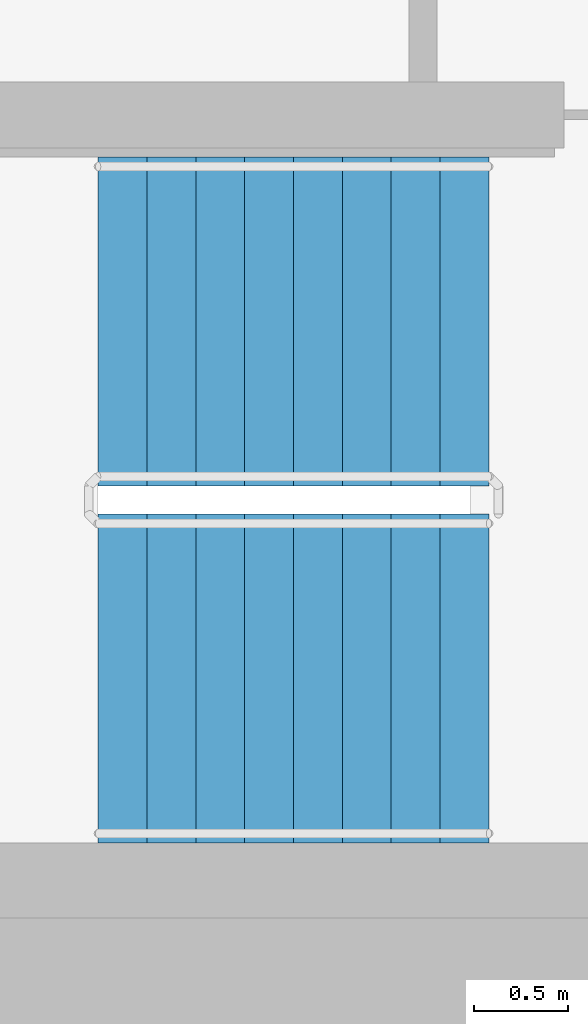
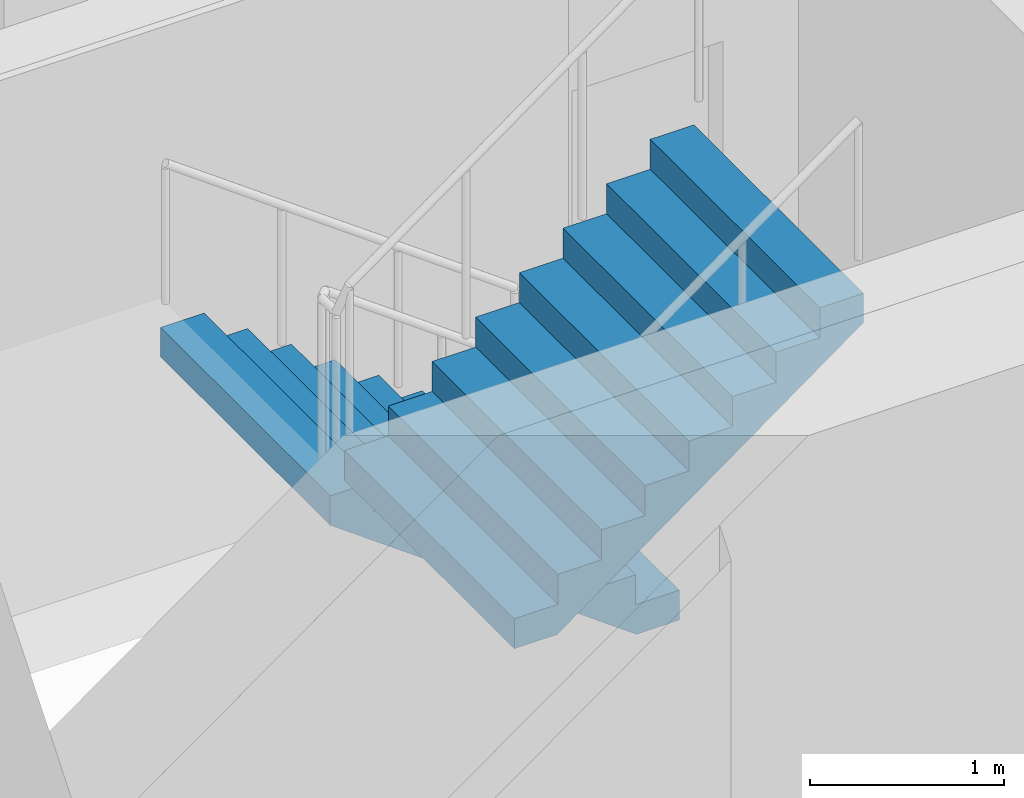
# One storey, part 14 of 20: 2 stair flights, 1 element without a shape of its own.
"""IFC4 building model written with IfcOpenShell, lengths in metres."""

from ifc_helpers import new_model, si_unit, direction, frame, origin, place, context, subcontext, project, spatial, faceted_brep, material, type_object, element, aggregate, save


model = new_model("IFC4")

# Units and contexts
model_context = context("Model", 3, precision=1e-05, world=origin(), true_north=direction((0.0, 1.0)))
body_context = subcontext(model_context, "Body", "Model", "MODEL_VIEW")
ifc_project = project(units=[si_unit("LENGTHUNIT", "METRE"), si_unit("AREAUNIT", "SQUARE_METRE"), si_unit("VOLUMEUNIT", "CUBIC_METRE"), si_unit("PLANEANGLEUNIT", "RADIAN"), si_unit("MASSUNIT", "GRAM", prefix="KILO")], contexts=[model_context])

# Site, building, storey
site_placement = place(None, origin())
site = spatial("IfcSite", under=ifc_project, at=site_placement, CompositionType="ELEMENT")
building_placement = place(site_placement, origin())
building = spatial("IfcBuilding", under=site, at=building_placement, Name="Ipe Terrace Towers", CompositionType="ELEMENT")
storey_placement = place(building_placement, frame((0.0, 0.0, 160.89990234375)))
storey = spatial("IfcBuildingStorey", under=building, at=storey_placement, Name="L44", CompositionType="ELEMENT", Elevation=160.89990234375)

# Stair, stair flights
ifc_material_1 = material(Name="Concrete C30/37", Category="concrete")
stair_type = type_object("IfcStairType", Name="Protected exit stair", PredefinedType="HALF_TURN_STAIR", material=ifc_material_1)
stair_placement = place(storey_placement, origin())
stair = element("IfcStair", 1, at=stair_placement, inside=storey, type_object=stair_type, Name="L44 Exit stair T1-C2", PredefinedType="HALF_TURN_STAIR")
ifc_material_2 = material(Name="Concrete C30/37", Category="concrete")
stair_flight_type = type_object("IfcStairFlightType", Name="Exit stair flight 1750", PredefinedType="STRAIGHT", material=ifc_material_2)
stair_flight_1_placement = place(storey_placement, frame((-45.699951171875, -2.77490234375, 0.0), z_axis=(0.0, 0.0, 1.0), x_axis=(-1.0, 0.0, 0.0)))
stair_flight_1 = element("IfcStairFlight", 2, at=stair_flight_1_placement, type_object=stair_flight_type, Name="T1-ST2 flight 1", NumberOfRisers=9, NumberOfTreads=8, PredefinedType="STRAIGHT", RiserHeight=0.188888889, TreadLength=0.26, context=body_context, shape_type="Brep", body=[
    faceted_brep([(0.255126953125, -0.875, 0.0), (2.080078125, -0.875, 1.325927734375), (2.080078125, -0.875, 1.51123046875), (1.820068359375, -0.875, 1.51123046875), (1.820068359375, -0.875, 1.322265625), (1.56005859375, -0.875, 1.322265625), (1.56005859375, -0.875, 1.13330078125), (1.300048828125, -0.875, 1.13330078125), (1.300048828125, -0.875, 0.9443359375), (1.0400390625, -0.875, 0.9443359375), (1.0400390625, -0.875, 0.755615234375), (0.780029296875, -0.875, 0.755615234375), (0.780029296875, -0.875, 0.566650390625), (0.52001953125, -0.875, 0.566650390625), (0.52001953125, -0.875, 0.377685546875), (0.260009765625, -0.875, 0.377685546875), (0.260009765625, -0.875, 0.18896484375), (0.0, -0.875, 0.18896484375), (0.0, -0.875, 0.0), (0.0, 0.875, 0.0), (0.0, 0.875, 0.18896484375), (0.260009765625, 0.875, 0.18896484375), (0.260009765625, 0.875, 0.377685546875), (0.52001953125, 0.875, 0.377685546875), (0.52001953125, 0.875, 0.566650390625), (0.780029296875, 0.875, 0.566650390625), (0.780029296875, 0.875, 0.755615234375), (1.0400390625, 0.875, 0.755615234375), (1.0400390625, 0.875, 0.9443359375), (1.300048828125, 0.875, 0.9443359375), (1.300048828125, 0.875, 1.13330078125), (1.56005859375, 0.875, 1.13330078125), (1.56005859375, 0.875, 1.322265625), (1.820068359375, 0.875, 1.322265625), (1.820068359375, 0.875, 1.51123046875), (2.080078125, 0.875, 1.51123046875), (2.080078125, 0.875, 1.325927734375), (0.255126953125, 0.875, 0.0), (0.0, -0.300048828125, 0.18896484375), (0.0, -0.1201171875, 0.18896484375), (0.0, -0.06005859375, 0.18896484375), (0.0, -0.030029296875, 0.18896484375), (0.0, -0.010009765625, 0.18896484375), (0.0, 0.0, 0.18896484375), (0.0, 0.010009765625, 0.18896484375), (0.0, 0.030029296875, 0.18896484375), (0.0, 0.06005859375, 0.18896484375), (0.0, 0.1201171875, 0.18896484375), (0.0, 0.300048828125, 0.18896484375), (0.0, 0.300048828125, 0.0), (0.0, 0.1201171875, 0.0), (0.0, 0.06005859375, 0.0), (0.0, 0.030029296875, 0.0), (0.0, 0.010009765625, 0.0), (0.0, 0.0, 0.0), (0.0, -0.010009765625, 0.0), (0.0, -0.030029296875, 0.0), (0.0, -0.06005859375, 0.0), (0.0, -0.1201171875, 0.0), (0.0, -0.300048828125, 0.0), (0.260009765625, -0.300048828125, 0.18896484375), (0.260009765625, -0.1201171875, 0.18896484375), (0.260009765625, -0.06005859375, 0.18896484375), (0.260009765625, -0.030029296875, 0.18896484375), (0.260009765625, -0.010009765625, 0.18896484375), (0.260009765625, 0.0, 0.18896484375), (0.260009765625, 0.010009765625, 0.18896484375), (0.260009765625, 0.030029296875, 0.18896484375), (0.260009765625, 0.06005859375, 0.18896484375), (0.260009765625, 0.1201171875, 0.18896484375), (0.260009765625, 0.300048828125, 0.18896484375), (0.260009765625, -0.300048828125, 0.377685546875), (0.260009765625, -0.1201171875, 0.377685546875), (0.260009765625, -0.06005859375, 0.377685546875), (0.260009765625, -0.030029296875, 0.377685546875), (0.260009765625, -0.010009765625, 0.377685546875), (0.260009765625, 0.0, 0.377685546875), (0.260009765625, 0.010009765625, 0.377685546875), (0.260009765625, 0.030029296875, 0.377685546875), (0.260009765625, 0.06005859375, 0.377685546875), (0.260009765625, 0.1201171875, 0.377685546875), (0.260009765625, 0.300048828125, 0.377685546875), (0.52001953125, -0.300048828125, 0.377685546875), (0.52001953125, -0.1201171875, 0.377685546875), (0.52001953125, -0.06005859375, 0.377685546875), (0.52001953125, -0.030029296875, 0.377685546875), (0.52001953125, -0.010009765625, 0.377685546875), (0.52001953125, 0.0, 0.377685546875), (0.52001953125, 0.010009765625, 0.377685546875), (0.52001953125, 0.030029296875, 0.377685546875), (0.52001953125, 0.06005859375, 0.377685546875), (0.52001953125, 0.1201171875, 0.377685546875), (0.52001953125, 0.300048828125, 0.377685546875), (0.52001953125, -0.300048828125, 0.566650390625), (0.52001953125, -0.1201171875, 0.566650390625), (0.52001953125, -0.06005859375, 0.566650390625), (0.52001953125, -0.030029296875, 0.566650390625), (0.52001953125, -0.010009765625, 0.566650390625), (0.52001953125, 0.0, 0.566650390625), (0.52001953125, 0.010009765625, 0.566650390625), (0.52001953125, 0.030029296875, 0.566650390625), (0.52001953125, 0.06005859375, 0.566650390625), (0.52001953125, 0.1201171875, 0.566650390625), (0.52001953125, 0.300048828125, 0.566650390625), (0.780029296875, -0.300048828125, 0.566650390625), (0.780029296875, -0.1201171875, 0.566650390625), (0.780029296875, -0.06005859375, 0.566650390625), (0.780029296875, -0.030029296875, 0.566650390625), (0.780029296875, -0.010009765625, 0.566650390625), (0.780029296875, 0.0, 0.566650390625), (0.780029296875, 0.010009765625, 0.566650390625), (0.780029296875, 0.030029296875, 0.566650390625), (0.780029296875, 0.06005859375, 0.566650390625), (0.780029296875, 0.1201171875, 0.566650390625), (0.780029296875, 0.300048828125, 0.566650390625), (0.780029296875, -0.300048828125, 0.755615234375), (0.780029296875, -0.1201171875, 0.755615234375), (0.780029296875, -0.06005859375, 0.755615234375), (0.780029296875, -0.030029296875, 0.755615234375), (0.780029296875, -0.010009765625, 0.755615234375), (0.780029296875, 0.0, 0.755615234375), (0.780029296875, 0.010009765625, 0.755615234375), (0.780029296875, 0.030029296875, 0.755615234375), (0.780029296875, 0.06005859375, 0.755615234375), (0.780029296875, 0.1201171875, 0.755615234375), (0.780029296875, 0.300048828125, 0.755615234375), (1.0400390625, -0.300048828125, 0.755615234375), (1.0400390625, -0.1201171875, 0.755615234375), (1.0400390625, -0.06005859375, 0.755615234375), (1.0400390625, -0.030029296875, 0.755615234375), (1.0400390625, -0.010009765625, 0.755615234375), (1.0400390625, 0.0, 0.755615234375), (1.0400390625, 0.010009765625, 0.755615234375), (1.0400390625, 0.030029296875, 0.755615234375), (1.0400390625, 0.06005859375, 0.755615234375), (1.0400390625, 0.1201171875, 0.755615234375), (1.0400390625, 0.300048828125, 0.755615234375), (1.0400390625, -0.300048828125, 0.9443359375), (1.0400390625, -0.1201171875, 0.9443359375), (1.0400390625, -0.06005859375, 0.9443359375), (1.0400390625, -0.030029296875, 0.9443359375), (1.0400390625, -0.010009765625, 0.9443359375), (1.0400390625, 0.0, 0.9443359375), (1.0400390625, 0.010009765625, 0.9443359375), (1.0400390625, 0.030029296875, 0.9443359375), (1.0400390625, 0.06005859375, 0.9443359375), (1.0400390625, 0.1201171875, 0.9443359375), (1.0400390625, 0.300048828125, 0.9443359375), (1.300048828125, -0.300048828125, 0.9443359375), (1.300048828125, -0.1201171875, 0.9443359375), (1.300048828125, -0.06005859375, 0.9443359375), (1.300048828125, -0.030029296875, 0.9443359375), (1.300048828125, -0.010009765625, 0.9443359375), (1.300048828125, 0.0, 0.9443359375), (1.300048828125, 0.010009765625, 0.9443359375), (1.300048828125, 0.030029296875, 0.9443359375), (1.300048828125, 0.06005859375, 0.9443359375), (1.300048828125, 0.1201171875, 0.9443359375), (1.300048828125, 0.300048828125, 0.9443359375), (1.300048828125, -0.300048828125, 1.13330078125), (1.300048828125, -0.1201171875, 1.13330078125), (1.300048828125, -0.06005859375, 1.13330078125), (1.300048828125, -0.030029296875, 1.13330078125), (1.300048828125, -0.010009765625, 1.13330078125), (1.300048828125, 0.0, 1.13330078125), (1.300048828125, 0.010009765625, 1.13330078125), (1.300048828125, 0.030029296875, 1.13330078125), (1.300048828125, 0.06005859375, 1.13330078125), (1.300048828125, 0.1201171875, 1.13330078125), (1.300048828125, 0.300048828125, 1.13330078125), (1.56005859375, -0.300048828125, 1.13330078125), (1.56005859375, -0.1201171875, 1.13330078125), (1.56005859375, -0.06005859375, 1.13330078125), (1.56005859375, -0.030029296875, 1.13330078125), (1.56005859375, -0.010009765625, 1.13330078125), (1.56005859375, 0.0, 1.13330078125), (1.56005859375, 0.010009765625, 1.13330078125), (1.56005859375, 0.030029296875, 1.13330078125), (1.56005859375, 0.06005859375, 1.13330078125), (1.56005859375, 0.1201171875, 1.13330078125), (1.56005859375, 0.300048828125, 1.13330078125), (1.56005859375, -0.300048828125, 1.322265625), (1.56005859375, -0.1201171875, 1.322265625), (1.56005859375, -0.06005859375, 1.322265625), (1.56005859375, -0.030029296875, 1.322265625), (1.56005859375, -0.010009765625, 1.322265625), (1.56005859375, 0.0, 1.322265625), (1.56005859375, 0.010009765625, 1.322265625), (1.56005859375, 0.030029296875, 1.322265625), (1.56005859375, 0.06005859375, 1.322265625), (1.56005859375, 0.1201171875, 1.322265625), (1.56005859375, 0.300048828125, 1.322265625), (1.820068359375, -0.300048828125, 1.322265625), (1.820068359375, -0.1201171875, 1.322265625), (1.820068359375, -0.06005859375, 1.322265625), (1.820068359375, -0.030029296875, 1.322265625), (1.820068359375, -0.010009765625, 1.322265625), (1.820068359375, 0.0, 1.322265625), (1.820068359375, 0.010009765625, 1.322265625), (1.820068359375, 0.030029296875, 1.322265625), (1.820068359375, 0.06005859375, 1.322265625), (1.820068359375, 0.1201171875, 1.322265625), (1.820068359375, 0.300048828125, 1.322265625), (1.820068359375, -0.300048828125, 1.51123046875), (1.820068359375, -0.1201171875, 1.51123046875), (1.820068359375, -0.06005859375, 1.51123046875), (1.820068359375, -0.030029296875, 1.51123046875), (1.820068359375, -0.010009765625, 1.51123046875), (1.820068359375, 0.0, 1.51123046875), (1.820068359375, 0.010009765625, 1.51123046875), (1.820068359375, 0.030029296875, 1.51123046875), (1.820068359375, 0.06005859375, 1.51123046875), (1.820068359375, 0.1201171875, 1.51123046875), (1.820068359375, 0.300048828125, 1.51123046875), (2.080078125, -0.300048828125, 1.51123046875), (2.080078125, -0.1201171875, 1.51123046875), (2.080078125, -0.06005859375, 1.51123046875), (2.080078125, -0.030029296875, 1.51123046875), (2.080078125, -0.010009765625, 1.51123046875), (2.080078125, 0.0, 1.51123046875), (2.080078125, 0.010009765625, 1.51123046875), (2.080078125, 0.030029296875, 1.51123046875), (2.080078125, 0.06005859375, 1.51123046875), (2.080078125, 0.1201171875, 1.51123046875), (2.080078125, 0.300048828125, 1.51123046875), (2.080078125, -0.300048828125, 1.325927734375), (2.080078125, -0.1201171875, 1.325927734375), (2.080078125, -0.06005859375, 1.325927734375), (2.080078125, -0.030029296875, 1.325927734375), (2.080078125, -0.010009765625, 1.325927734375), (2.080078125, 0.0, 1.325927734375), (2.080078125, 0.010009765625, 1.325927734375), (2.080078125, 0.030029296875, 1.325927734375), (2.080078125, 0.06005859375, 1.325927734375), (2.080078125, 0.1201171875, 1.325927734375), (2.080078125, 0.300048828125, 1.325927734375), (0.255126953125, -0.300048828125, 0.0), (0.255126953125, -0.1201171875, 0.0), (0.255126953125, -0.06005859375, 0.0), (0.255126953125, -0.030029296875, 0.0), (0.255126953125, -0.010009765625, 0.0), (0.255126953125, 0.0, 0.0), (0.255126953125, 0.010009765625, 0.0), (0.255126953125, 0.030029296875, 0.0), (0.255126953125, 0.06005859375, 0.0), (0.255126953125, 0.1201171875, 0.0), (0.255126953125, 0.300048828125, 0.0)], [[[0, 1, 2, 3, 4, 5, 6, 7, 8, 9, 10, 11, 12, 13, 14, 15, 16, 17, 18]], [[19, 20, 21, 22, 23, 24, 25, 26, 27, 28, 29, 30, 31, 32, 33, 34, 35, 36, 37]], [[17, 38, 39, 40, 41, 42, 43, 44, 45, 46, 47, 48, 20, 19, 49, 50, 51, 52, 53, 54, 55, 56, 57, 58, 59, 18]], [[16, 60, 61, 62, 63, 64, 65, 66, 67, 68, 69, 70, 21, 20, 48, 47, 46, 45, 44, 43, 42, 41, 40, 39, 38, 17]], [[15, 71, 72, 73, 74, 75, 76, 77, 78, 79, 80, 81, 22, 21, 70, 69, 68, 67, 66, 65, 64, 63, 62, 61, 60, 16]], [[14, 82, 83, 84, 85, 86, 87, 88, 89, 90, 91, 92, 23, 22, 81, 80, 79, 78, 77, 76, 75, 74, 73, 72, 71, 15]], [[13, 93, 94, 95, 96, 97, 98, 99, 100, 101, 102, 103, 24, 23, 92, 91, 90, 89, 88, 87, 86, 85, 84, 83, 82, 14]], [[12, 104, 105, 106, 107, 108, 109, 110, 111, 112, 113, 114, 25, 24, 103, 102, 101, 100, 99, 98, 97, 96, 95, 94, 93, 13]], [[11, 115, 116, 117, 118, 119, 120, 121, 122, 123, 124, 125, 26, 25, 114, 113, 112, 111, 110, 109, 108, 107, 106, 105, 104, 12]], [[10, 126, 127, 128, 129, 130, 131, 132, 133, 134, 135, 136, 27, 26, 125, 124, 123, 122, 121, 120, 119, 118, 117, 116, 115, 11]], [[9, 137, 138, 139, 140, 141, 142, 143, 144, 145, 146, 147, 28, 27, 136, 135, 134, 133, 132, 131, 130, 129, 128, 127, 126, 10]], [[8, 148, 149, 150, 151, 152, 153, 154, 155, 156, 157, 158, 29, 28, 147, 146, 145, 144, 143, 142, 141, 140, 139, 138, 137, 9]], [[7, 159, 160, 161, 162, 163, 164, 165, 166, 167, 168, 169, 30, 29, 158, 157, 156, 155, 154, 153, 152, 151, 150, 149, 148, 8]], [[6, 170, 171, 172, 173, 174, 175, 176, 177, 178, 179, 180, 31, 30, 169, 168, 167, 166, 165, 164, 163, 162, 161, 160, 159, 7]], [[5, 181, 182, 183, 184, 185, 186, 187, 188, 189, 190, 191, 32, 31, 180, 179, 178, 177, 176, 175, 174, 173, 172, 171, 170, 6]], [[4, 192, 193, 194, 195, 196, 197, 198, 199, 200, 201, 202, 33, 32, 191, 190, 189, 188, 187, 186, 185, 184, 183, 182, 181, 5]], [[3, 203, 204, 205, 206, 207, 208, 209, 210, 211, 212, 213, 34, 33, 202, 201, 200, 199, 198, 197, 196, 195, 194, 193, 192, 4]], [[2, 214, 215, 216, 217, 218, 219, 220, 221, 222, 223, 224, 35, 34, 213, 212, 211, 210, 209, 208, 207, 206, 205, 204, 203, 3]], [[1, 225, 226, 227, 228, 229, 230, 231, 232, 233, 234, 235, 36, 35, 224, 223, 222, 221, 220, 219, 218, 217, 216, 215, 214, 2]], [[0, 236, 237, 238, 239, 240, 241, 242, 243, 244, 245, 246, 37, 36, 235, 234, 233, 232, 231, 230, 229, 228, 227, 226, 225, 1]], [[18, 59, 58, 57, 56, 55, 54, 53, 52, 51, 50, 49, 19, 37, 246, 245, 244, 243, 242, 241, 240, 239, 238, 237, 236, 0]]]),
])
stair_flight_2_placement = place(storey_placement, frame((-47.780029296875, -4.675048828125, 1.7001953125), z_axis=(0.0, 0.0, 1.0), x_axis=(1.0, 0.0, 0.0)))
stair_flight_2 = element("IfcStairFlight", 3, at=stair_flight_2_placement, type_object=stair_flight_type, Name="T1-ST2 flight 2", NumberOfRisers=9, NumberOfTreads=8, PredefinedType="STRAIGHT", RiserHeight=0.188888889, TreadLength=0.26, context=body_context, shape_type="Brep", body=[
    faceted_brep([(0.255126953125, -0.875, 0.0), (2.080078125, -0.875, 1.325927734375), (2.080078125, -0.875, 1.51123046875), (1.820068359375, -0.875, 1.51123046875), (1.820068359375, -0.875, 1.322265625), (1.56005859375, -0.875, 1.322265625), (1.56005859375, -0.875, 1.13330078125), (1.300048828125, -0.875, 1.13330078125), (1.300048828125, -0.875, 0.9443359375), (1.0400390625, -0.875, 0.9443359375), (1.0400390625, -0.875, 0.755615234375), (0.780029296875, -0.875, 0.755615234375), (0.780029296875, -0.875, 0.566650390625), (0.52001953125, -0.875, 0.566650390625), (0.52001953125, -0.875, 0.377685546875), (0.260009765625, -0.875, 0.377685546875), (0.260009765625, -0.875, 0.18896484375), (0.0, -0.875, 0.18896484375), (0.0, -0.875, 0.0), (0.0, 0.875, 0.0), (0.0, 0.875, 0.18896484375), (0.260009765625, 0.875, 0.18896484375), (0.260009765625, 0.875, 0.377685546875), (0.52001953125, 0.875, 0.377685546875), (0.52001953125, 0.875, 0.566650390625), (0.780029296875, 0.875, 0.566650390625), (0.780029296875, 0.875, 0.755615234375), (1.0400390625, 0.875, 0.755615234375), (1.0400390625, 0.875, 0.9443359375), (1.300048828125, 0.875, 0.9443359375), (1.300048828125, 0.875, 1.13330078125), (1.56005859375, 0.875, 1.13330078125), (1.56005859375, 0.875, 1.322265625), (1.820068359375, 0.875, 1.322265625), (1.820068359375, 0.875, 1.51123046875), (2.080078125, 0.875, 1.51123046875), (2.080078125, 0.875, 1.325927734375), (0.255126953125, 0.875, 0.0), (0.0, -0.300048828125, 0.18896484375), (0.0, -0.1201171875, 0.18896484375), (0.0, -0.06005859375, 0.18896484375), (0.0, -0.030029296875, 0.18896484375), (0.0, -0.010009765625, 0.18896484375), (0.0, 0.0, 0.18896484375), (0.0, 0.010009765625, 0.18896484375), (0.0, 0.030029296875, 0.18896484375), (0.0, 0.06005859375, 0.18896484375), (0.0, 0.1201171875, 0.18896484375), (0.0, 0.300048828125, 0.18896484375), (0.0, 0.300048828125, 0.0), (0.0, 0.1201171875, 0.0), (0.0, 0.06005859375, 0.0), (0.0, 0.030029296875, 0.0), (0.0, 0.010009765625, 0.0), (0.0, 0.0, 0.0), (0.0, -0.010009765625, 0.0), (0.0, -0.030029296875, 0.0), (0.0, -0.06005859375, 0.0), (0.0, -0.1201171875, 0.0), (0.0, -0.300048828125, 0.0), (0.260009765625, -0.300048828125, 0.18896484375), (0.260009765625, -0.1201171875, 0.18896484375), (0.260009765625, -0.06005859375, 0.18896484375), (0.260009765625, -0.030029296875, 0.18896484375), (0.260009765625, -0.010009765625, 0.18896484375), (0.260009765625, 0.0, 0.18896484375), (0.260009765625, 0.010009765625, 0.18896484375), (0.260009765625, 0.030029296875, 0.18896484375), (0.260009765625, 0.06005859375, 0.18896484375), (0.260009765625, 0.1201171875, 0.18896484375), (0.260009765625, 0.300048828125, 0.18896484375), (0.260009765625, -0.300048828125, 0.377685546875), (0.260009765625, -0.1201171875, 0.377685546875), (0.260009765625, -0.06005859375, 0.377685546875), (0.260009765625, -0.030029296875, 0.377685546875), (0.260009765625, -0.010009765625, 0.377685546875), (0.260009765625, 0.0, 0.377685546875), (0.260009765625, 0.010009765625, 0.377685546875), (0.260009765625, 0.030029296875, 0.377685546875), (0.260009765625, 0.06005859375, 0.377685546875), (0.260009765625, 0.1201171875, 0.377685546875), (0.260009765625, 0.300048828125, 0.377685546875), (0.52001953125, -0.300048828125, 0.377685546875), (0.52001953125, -0.1201171875, 0.377685546875), (0.52001953125, -0.06005859375, 0.377685546875), (0.52001953125, -0.030029296875, 0.377685546875), (0.52001953125, -0.010009765625, 0.377685546875), (0.52001953125, 0.0, 0.377685546875), (0.52001953125, 0.010009765625, 0.377685546875), (0.52001953125, 0.030029296875, 0.377685546875), (0.52001953125, 0.06005859375, 0.377685546875), (0.52001953125, 0.1201171875, 0.377685546875), (0.52001953125, 0.300048828125, 0.377685546875), (0.52001953125, -0.300048828125, 0.566650390625), (0.52001953125, -0.1201171875, 0.566650390625), (0.52001953125, -0.06005859375, 0.566650390625), (0.52001953125, -0.030029296875, 0.566650390625), (0.52001953125, -0.010009765625, 0.566650390625), (0.52001953125, 0.0, 0.566650390625), (0.52001953125, 0.010009765625, 0.566650390625), (0.52001953125, 0.030029296875, 0.566650390625), (0.52001953125, 0.06005859375, 0.566650390625), (0.52001953125, 0.1201171875, 0.566650390625), (0.52001953125, 0.300048828125, 0.566650390625), (0.780029296875, -0.300048828125, 0.566650390625), (0.780029296875, -0.1201171875, 0.566650390625), (0.780029296875, -0.06005859375, 0.566650390625), (0.780029296875, -0.030029296875, 0.566650390625), (0.780029296875, -0.010009765625, 0.566650390625), (0.780029296875, 0.0, 0.566650390625), (0.780029296875, 0.010009765625, 0.566650390625), (0.780029296875, 0.030029296875, 0.566650390625), (0.780029296875, 0.06005859375, 0.566650390625), (0.780029296875, 0.1201171875, 0.566650390625), (0.780029296875, 0.300048828125, 0.566650390625), (0.780029296875, -0.300048828125, 0.755615234375), (0.780029296875, -0.1201171875, 0.755615234375), (0.780029296875, -0.06005859375, 0.755615234375), (0.780029296875, -0.030029296875, 0.755615234375), (0.780029296875, -0.010009765625, 0.755615234375), (0.780029296875, 0.0, 0.755615234375), (0.780029296875, 0.010009765625, 0.755615234375), (0.780029296875, 0.030029296875, 0.755615234375), (0.780029296875, 0.06005859375, 0.755615234375), (0.780029296875, 0.1201171875, 0.755615234375), (0.780029296875, 0.300048828125, 0.755615234375), (1.0400390625, -0.300048828125, 0.755615234375), (1.0400390625, -0.1201171875, 0.755615234375), (1.0400390625, -0.06005859375, 0.755615234375), (1.0400390625, -0.030029296875, 0.755615234375), (1.0400390625, -0.010009765625, 0.755615234375), (1.0400390625, 0.0, 0.755615234375), (1.0400390625, 0.010009765625, 0.755615234375), (1.0400390625, 0.030029296875, 0.755615234375), (1.0400390625, 0.06005859375, 0.755615234375), (1.0400390625, 0.1201171875, 0.755615234375), (1.0400390625, 0.300048828125, 0.755615234375), (1.0400390625, -0.300048828125, 0.9443359375), (1.0400390625, -0.1201171875, 0.9443359375), (1.0400390625, -0.06005859375, 0.9443359375), (1.0400390625, -0.030029296875, 0.9443359375), (1.0400390625, -0.010009765625, 0.9443359375), (1.0400390625, 0.0, 0.9443359375), (1.0400390625, 0.010009765625, 0.9443359375), (1.0400390625, 0.030029296875, 0.9443359375), (1.0400390625, 0.06005859375, 0.9443359375), (1.0400390625, 0.1201171875, 0.9443359375), (1.0400390625, 0.300048828125, 0.9443359375), (1.300048828125, -0.300048828125, 0.9443359375), (1.300048828125, -0.1201171875, 0.9443359375), (1.300048828125, -0.06005859375, 0.9443359375), (1.300048828125, -0.030029296875, 0.9443359375), (1.300048828125, -0.010009765625, 0.9443359375), (1.300048828125, 0.0, 0.9443359375), (1.300048828125, 0.010009765625, 0.9443359375), (1.300048828125, 0.030029296875, 0.9443359375), (1.300048828125, 0.06005859375, 0.9443359375), (1.300048828125, 0.1201171875, 0.9443359375), (1.300048828125, 0.300048828125, 0.9443359375), (1.300048828125, -0.300048828125, 1.13330078125), (1.300048828125, -0.1201171875, 1.13330078125), (1.300048828125, -0.06005859375, 1.13330078125), (1.300048828125, -0.030029296875, 1.13330078125), (1.300048828125, -0.010009765625, 1.13330078125), (1.300048828125, 0.0, 1.13330078125), (1.300048828125, 0.010009765625, 1.13330078125), (1.300048828125, 0.030029296875, 1.13330078125), (1.300048828125, 0.06005859375, 1.13330078125), (1.300048828125, 0.1201171875, 1.13330078125), (1.300048828125, 0.300048828125, 1.13330078125), (1.56005859375, -0.300048828125, 1.13330078125), (1.56005859375, -0.1201171875, 1.13330078125), (1.56005859375, -0.06005859375, 1.13330078125), (1.56005859375, -0.030029296875, 1.13330078125), (1.56005859375, -0.010009765625, 1.13330078125), (1.56005859375, 0.0, 1.13330078125), (1.56005859375, 0.010009765625, 1.13330078125), (1.56005859375, 0.030029296875, 1.13330078125), (1.56005859375, 0.06005859375, 1.13330078125), (1.56005859375, 0.1201171875, 1.13330078125), (1.56005859375, 0.300048828125, 1.13330078125), (1.56005859375, -0.300048828125, 1.322265625), (1.56005859375, -0.1201171875, 1.322265625), (1.56005859375, -0.06005859375, 1.322265625), (1.56005859375, -0.030029296875, 1.322265625), (1.56005859375, -0.010009765625, 1.322265625), (1.56005859375, 0.0, 1.322265625), (1.56005859375, 0.010009765625, 1.322265625), (1.56005859375, 0.030029296875, 1.322265625), (1.56005859375, 0.06005859375, 1.322265625), (1.56005859375, 0.1201171875, 1.322265625), (1.56005859375, 0.300048828125, 1.322265625), (1.820068359375, -0.300048828125, 1.322265625), (1.820068359375, -0.1201171875, 1.322265625), (1.820068359375, -0.06005859375, 1.322265625), (1.820068359375, -0.030029296875, 1.322265625), (1.820068359375, -0.010009765625, 1.322265625), (1.820068359375, 0.0, 1.322265625), (1.820068359375, 0.010009765625, 1.322265625), (1.820068359375, 0.030029296875, 1.322265625), (1.820068359375, 0.06005859375, 1.322265625), (1.820068359375, 0.1201171875, 1.322265625), (1.820068359375, 0.300048828125, 1.322265625), (1.820068359375, -0.300048828125, 1.51123046875), (1.820068359375, -0.1201171875, 1.51123046875), (1.820068359375, -0.06005859375, 1.51123046875), (1.820068359375, -0.030029296875, 1.51123046875), (1.820068359375, -0.010009765625, 1.51123046875), (1.820068359375, 0.0, 1.51123046875), (1.820068359375, 0.010009765625, 1.51123046875), (1.820068359375, 0.030029296875, 1.51123046875), (1.820068359375, 0.06005859375, 1.51123046875), (1.820068359375, 0.1201171875, 1.51123046875), (1.820068359375, 0.300048828125, 1.51123046875), (2.080078125, -0.300048828125, 1.51123046875), (2.080078125, -0.1201171875, 1.51123046875), (2.080078125, -0.06005859375, 1.51123046875), (2.080078125, -0.030029296875, 1.51123046875), (2.080078125, -0.010009765625, 1.51123046875), (2.080078125, 0.0, 1.51123046875), (2.080078125, 0.010009765625, 1.51123046875), (2.080078125, 0.030029296875, 1.51123046875), (2.080078125, 0.06005859375, 1.51123046875), (2.080078125, 0.1201171875, 1.51123046875), (2.080078125, 0.300048828125, 1.51123046875), (2.080078125, -0.300048828125, 1.325927734375), (2.080078125, -0.1201171875, 1.325927734375), (2.080078125, -0.06005859375, 1.325927734375), (2.080078125, -0.030029296875, 1.325927734375), (2.080078125, -0.010009765625, 1.325927734375), (2.080078125, 0.0, 1.325927734375), (2.080078125, 0.010009765625, 1.325927734375), (2.080078125, 0.030029296875, 1.325927734375), (2.080078125, 0.06005859375, 1.325927734375), (2.080078125, 0.1201171875, 1.325927734375), (2.080078125, 0.300048828125, 1.325927734375), (0.255126953125, -0.300048828125, 0.0), (0.255126953125, -0.1201171875, 0.0), (0.255126953125, -0.06005859375, 0.0), (0.255126953125, -0.030029296875, 0.0), (0.255126953125, -0.010009765625, 0.0), (0.255126953125, 0.0, 0.0), (0.255126953125, 0.010009765625, 0.0), (0.255126953125, 0.030029296875, 0.0), (0.255126953125, 0.06005859375, 0.0), (0.255126953125, 0.1201171875, 0.0), (0.255126953125, 0.300048828125, 0.0)], [[[0, 1, 2, 3, 4, 5, 6, 7, 8, 9, 10, 11, 12, 13, 14, 15, 16, 17, 18]], [[19, 20, 21, 22, 23, 24, 25, 26, 27, 28, 29, 30, 31, 32, 33, 34, 35, 36, 37]], [[17, 38, 39, 40, 41, 42, 43, 44, 45, 46, 47, 48, 20, 19, 49, 50, 51, 52, 53, 54, 55, 56, 57, 58, 59, 18]], [[16, 60, 61, 62, 63, 64, 65, 66, 67, 68, 69, 70, 21, 20, 48, 47, 46, 45, 44, 43, 42, 41, 40, 39, 38, 17]], [[15, 71, 72, 73, 74, 75, 76, 77, 78, 79, 80, 81, 22, 21, 70, 69, 68, 67, 66, 65, 64, 63, 62, 61, 60, 16]], [[14, 82, 83, 84, 85, 86, 87, 88, 89, 90, 91, 92, 23, 22, 81, 80, 79, 78, 77, 76, 75, 74, 73, 72, 71, 15]], [[13, 93, 94, 95, 96, 97, 98, 99, 100, 101, 102, 103, 24, 23, 92, 91, 90, 89, 88, 87, 86, 85, 84, 83, 82, 14]], [[12, 104, 105, 106, 107, 108, 109, 110, 111, 112, 113, 114, 25, 24, 103, 102, 101, 100, 99, 98, 97, 96, 95, 94, 93, 13]], [[11, 115, 116, 117, 118, 119, 120, 121, 122, 123, 124, 125, 26, 25, 114, 113, 112, 111, 110, 109, 108, 107, 106, 105, 104, 12]], [[10, 126, 127, 128, 129, 130, 131, 132, 133, 134, 135, 136, 27, 26, 125, 124, 123, 122, 121, 120, 119, 118, 117, 116, 115, 11]], [[9, 137, 138, 139, 140, 141, 142, 143, 144, 145, 146, 147, 28, 27, 136, 135, 134, 133, 132, 131, 130, 129, 128, 127, 126, 10]], [[8, 148, 149, 150, 151, 152, 153, 154, 155, 156, 157, 158, 29, 28, 147, 146, 145, 144, 143, 142, 141, 140, 139, 138, 137, 9]], [[7, 159, 160, 161, 162, 163, 164, 165, 166, 167, 168, 169, 30, 29, 158, 157, 156, 155, 154, 153, 152, 151, 150, 149, 148, 8]], [[6, 170, 171, 172, 173, 174, 175, 176, 177, 178, 179, 180, 31, 30, 169, 168, 167, 166, 165, 164, 163, 162, 161, 160, 159, 7]], [[5, 181, 182, 183, 184, 185, 186, 187, 188, 189, 190, 191, 32, 31, 180, 179, 178, 177, 176, 175, 174, 173, 172, 171, 170, 6]], [[4, 192, 193, 194, 195, 196, 197, 198, 199, 200, 201, 202, 33, 32, 191, 190, 189, 188, 187, 186, 185, 184, 183, 182, 181, 5]], [[3, 203, 204, 205, 206, 207, 208, 209, 210, 211, 212, 213, 34, 33, 202, 201, 200, 199, 198, 197, 196, 195, 194, 193, 192, 4]], [[2, 214, 215, 216, 217, 218, 219, 220, 221, 222, 223, 224, 35, 34, 213, 212, 211, 210, 209, 208, 207, 206, 205, 204, 203, 3]], [[1, 225, 226, 227, 228, 229, 230, 231, 232, 233, 234, 235, 36, 35, 224, 223, 222, 221, 220, 219, 218, 217, 216, 215, 214, 2]], [[0, 236, 237, 238, 239, 240, 241, 242, 243, 244, 245, 246, 37, 36, 235, 234, 233, 232, 231, 230, 229, 228, 227, 226, 225, 1]], [[18, 59, 58, 57, 56, 55, 54, 53, 52, 51, 50, 49, 19, 37, 246, 245, 244, 243, 242, 241, 240, 239, 238, 237, 236, 0]]]),
])
aggregate(stair, [stair_flight_1, stair_flight_2])

save(model, "model.ifc")
